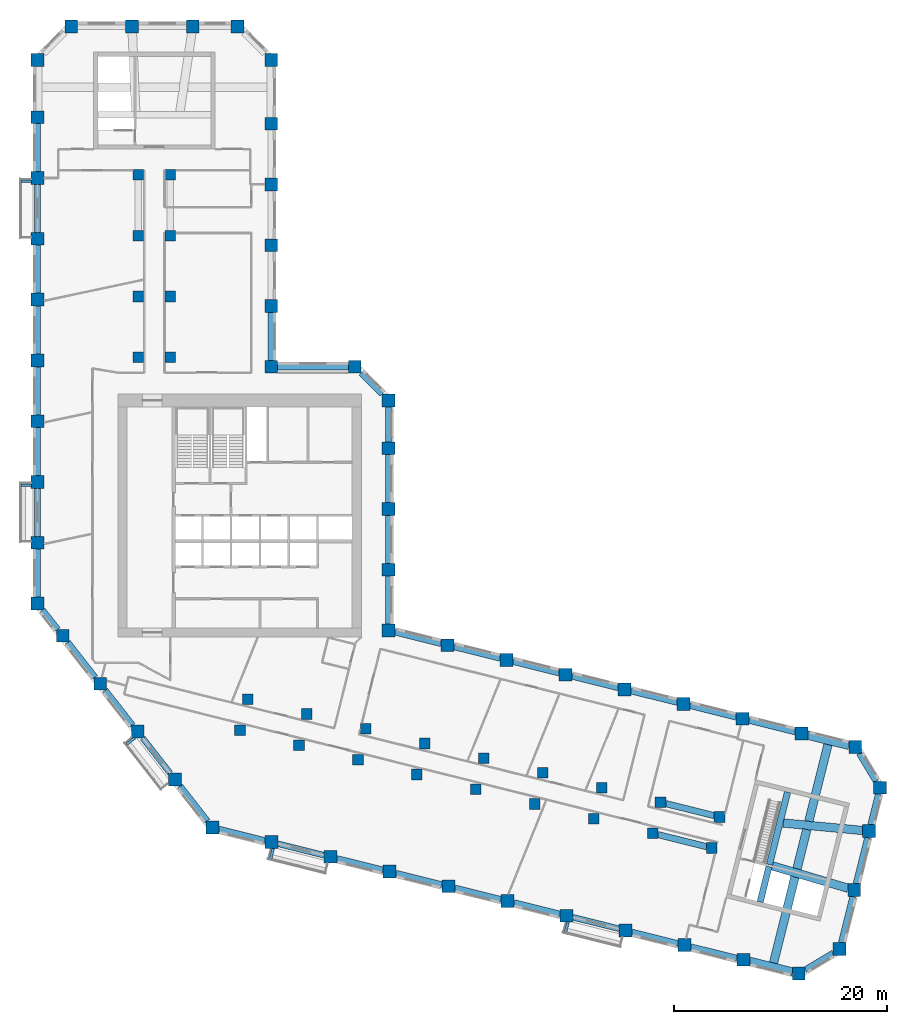
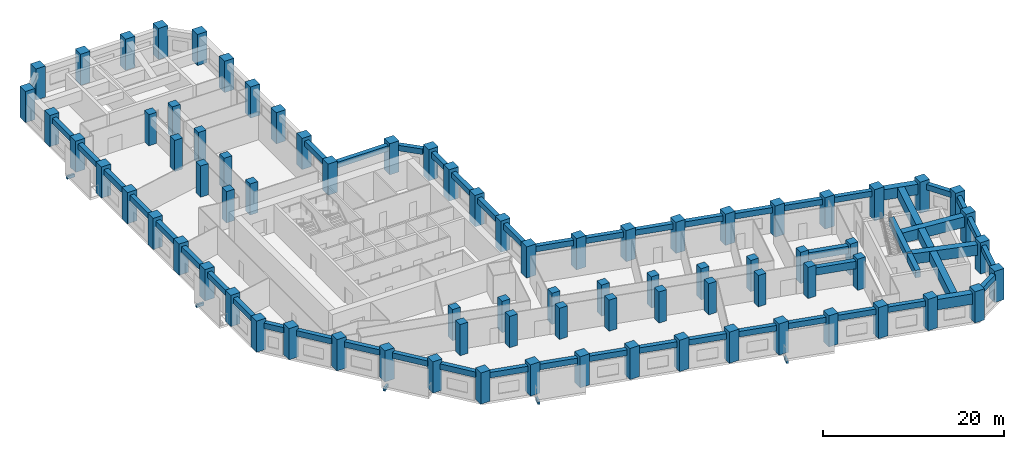
# One storey, part 1 of 10: 79 columns, 57 beams.
"""IFC4 building model written with IfcOpenShell, lengths in metres."""

import ifcopenshell
import ifcopenshell.guid

model = None  # the IFC model being written
_history = None  # IfcOwnerHistory: only IFC2X3 demands one
_inside = {}  # id of a spatial element -> (the spatial element, [elements in it])
_under = {}  # id of a project, library or spatial element -> (it, [spatial elements below it])
_declared = {}  # id of a project -> (the project, [libraries it declares])
_typed = {}  # id of a type object -> (the type object, [elements of that type])
_made_of = {}  # id of a material, layer set ... -> (it, [elements and type objects made of it])


def new_model(schema):
    """Start an empty IFC model of exactly this schema.

    Asked for "IFC4X3", IfcOpenShell would pick the latest addendum, in which some entities
    have other attributes; the version numbers below select the first issue.
    IFC2X3 requires an IfcOwnerHistory on every rooted entity: one is made here for all.
    """
    global model, _history
    if schema == "IFC4X3":
        model = ifcopenshell.file(schema_version=(4, 3, 0, 0))
    else:
        model = ifcopenshell.file(schema=schema)
    _inside.clear()
    _under.clear()
    _declared.clear()
    _typed.clear()
    _made_of.clear()
    _history = None
    if model.schema == "IFC2X3":
        org = make("IfcOrganization", Name="unknown")
        user = make(
            "IfcPersonAndOrganization",
            ThePerson=make("IfcPerson", FamilyName="unknown"),
            TheOrganization=org,
        )
        app = make(
            "IfcApplication",
            ApplicationDeveloper=org,
            Version="unknown",
            ApplicationFullName="unknown",
            ApplicationIdentifier="unknown",
        )
        _history = make(
            "IfcOwnerHistory",
            OwningUser=user,
            OwningApplication=app,
            ChangeAction="ADDED",
            CreationDate=0,
        )
    return model


def make(cls, **values):
    """One entity of the class cls with the attributes given. An attribute that is None is left unset."""
    return model.create_entity(
        cls, **{name: value for name, value in values.items() if value is not None}
    )


def rooted(cls, **values):
    """An entity with a GlobalId (a new one), such as an element, a storey or a relation."""
    return make(cls, GlobalId=ifcopenshell.guid.new(), OwnerHistory=_history, **values)


def si_unit(unit_type, name, prefix=None):
    """IfcSIUnit, for example si_unit("LENGTHUNIT", "METRE", prefix="MILLI")."""
    return make("IfcSIUnit", UnitType=unit_type, Prefix=prefix, Name=name)


def assignment(units):
    """IfcUnitAssignment: the units of a project."""
    return None if units is None else make("IfcUnitAssignment", Units=units)


def point(xyz):
    """IfcCartesianPoint."""
    return None if xyz is None else make("IfcCartesianPoint", Coordinates=xyz)


def direction(xyz):
    """IfcDirection."""
    return None if xyz is None else make("IfcDirection", DirectionRatios=xyz)


def frame(location, z_axis=None, x_axis=None):
    """IfcAxis2Placement3D, a coordinate frame: its origin and axes. An axis left out is left unset."""
    return make(
        "IfcAxis2Placement3D",
        Location=point(location),
        Axis=direction(z_axis),
        RefDirection=direction(x_axis),
    )


def frame_2d(location, x_axis=None):
    """IfcAxis2Placement2D, a coordinate frame in the plane: its origin and x axis."""
    return make(
        "IfcAxis2Placement2D", Location=point(location), RefDirection=direction(x_axis)
    )


def origin():
    """The frame at (0, 0, 0) with its axes left unset."""
    return frame((0.0, 0.0, 0.0))


def origin_2d():
    """The frame at (0, 0) in the plane with its x axis left unset."""
    return frame_2d((0.0, 0.0))


def place(relative_to, where):
    """IfcLocalPlacement: puts the frame where relative to a parent placement (None: the world)."""
    return make(
        "IfcLocalPlacement", PlacementRelTo=relative_to, RelativePlacement=where
    )


def context(
    kind, dimensions, precision=None, world=None, true_north=None, identifier=None
):
    """IfcGeometricRepresentationContext, for example the 3D "Model" context."""
    return make(
        "IfcGeometricRepresentationContext",
        ContextIdentifier=identifier,
        ContextType=kind,
        CoordinateSpaceDimension=dimensions,
        Precision=precision,
        WorldCoordinateSystem=world,
        TrueNorth=true_north,
    )


def subcontext(parent, identifier, kind, view, scale=None):
    """IfcGeometricRepresentationSubContext, for example "Body" below "Model"."""
    return make(
        "IfcGeometricRepresentationSubContext",
        ContextIdentifier=identifier,
        ContextType=kind,
        ParentContext=parent,
        TargetScale=scale,
        TargetView=view,
    )


def project(units=None, contexts=None):
    """IfcProject with its units and contexts."""
    return rooted(
        "IfcProject",
        Name="project",
        RepresentationContexts=contexts,
        UnitsInContext=assignment(units),
    )


def spatial(cls, under=None, at=None, **own):
    """A site, building, storey or space (cls), placed at a placement, below another one or the project."""
    s = rooted(cls, ObjectPlacement=at, **own)
    if under is not None:
        _under.setdefault(under.id(), (under, []))[1].append(s)
    return s


def profile(cls, at=None, kind="AREA", **sizes):
    """A parametric profile (cls). Its sizes go by their IFC names, for example OverallWidth=200.0."""
    return make(cls, ProfileType=kind, Position=at, **sizes)


def rectangle(**sizes):
    """IfcRectangleProfileDef."""
    return profile("IfcRectangleProfileDef", **sizes)


def extrude(swept, where, along, depth):
    """IfcExtrudedAreaSolid: the profile swept, set in the frame where, extruded along a direction by depth."""
    return make(
        "IfcExtrudedAreaSolid",
        SweptArea=swept,
        Position=where,
        ExtrudedDirection=direction(along),
        Depth=depth,
    )


def shape(context_of_items, identifier, shape_type, items):
    """IfcShapeRepresentation: the items that make up one representation, for example the "Body"."""
    return make(
        "IfcShapeRepresentation",
        ContextOfItems=context_of_items,
        RepresentationIdentifier=identifier,
        RepresentationType=shape_type,
        Items=items,
    )


def material(Name=None, Category=None):
    """IfcMaterial."""
    return make("IfcMaterial", Name=Name, Category=Category)


def material_profile(
    of_material, cross_section, Name=None, Category=None, Priority=None
):
    """IfcMaterialProfile: a cross section and its material."""
    return make(
        "IfcMaterialProfile",
        Name=Name,
        Material=of_material,
        Profile=cross_section,
        Priority=Priority,
        Category=Category,
    )


def profile_set(profiles, Name=None, composite=None):
    """IfcMaterialProfileSet."""
    return make(
        "IfcMaterialProfileSet",
        Name=Name,
        MaterialProfiles=profiles,
        CompositeProfile=composite,
    )


def made_of(thing, what):
    """Note that an element or type object is made of a material, layer set ...; save() writes the relation."""
    if what is not None:
        _made_of.setdefault(what.id(), (what, []))[1].append(thing)
    return thing


def type_object(cls, material=None, **own):
    """A type object (cls), such as IfcWallType, which elements share."""
    return made_of(rooted(cls, **own), material)


def element(
    cls,
    number,
    at=None,
    inside=None,
    cuts=None,
    type_object=None,
    material=None,
    context=None,
    identifier="Body",
    shape_type=None,
    held_by="IfcProductDefinitionShape",
    body=None,
    shapes=None,
    **own,
):
    """One element of the class cls, such as IfcWall. Its Tag is "e" and its number.

    at: its placement. inside: the storey or other place that contains it. cuts: it is an
    opening in that element (IfcRelVoidsElement). A single representation is given by context,
    identifier, shape_type and body (its items); several are given by shapes. held_by: the class
    of the entity that holds the representations. save() writes the other relations.
    """
    e = rooted(cls, Tag="e%d" % number, ObjectPlacement=at, **own)
    if body is not None:
        shapes = [shape(context, identifier, shape_type, body)]
    if shapes is not None:
        e.Representation = make(held_by, Representations=shapes)
    if inside is not None:
        _inside.setdefault(inside.id(), (inside, []))[1].append(e)
    if cuts is not None:
        rooted(
            "IfcRelVoidsElement", RelatingBuildingElement=cuts, RelatedOpeningElement=e
        )
    if type_object is not None:
        _typed.setdefault(type_object.id(), (type_object, []))[1].append(e)
    return made_of(e, material)


def aggregate(whole, parts):
    """IfcRelAggregates: a whole, such as a stair, and the parts it consists of."""
    return rooted("IfcRelAggregates", RelatingObject=whole, RelatedObjects=parts)


def save(model, path):
    """Write the relations noted so far, then the file.

    IfcRelAggregates (storeys below a building ...), IfcRelContainedInSpatialStructure (elements
    in a storey), IfcRelDefinesByType, IfcRelAssociatesMaterial and IfcRelDeclares: one each for
    every whole, place, type object, material and project.
    """
    for whole, parts in _under.values():
        aggregate(whole, parts)
    for where, things in _inside.values():
        rooted(
            "IfcRelContainedInSpatialStructure",
            RelatedElements=things,
            RelatingStructure=where,
        )
    for kind, things in _typed.values():
        rooted("IfcRelDefinesByType", RelatedObjects=things, RelatingType=kind)
    for what, things in _made_of.values():
        rooted("IfcRelAssociatesMaterial", RelatedObjects=things, RelatingMaterial=what)
    for by, libraries in _declared.values():
        rooted("IfcRelDeclares", RelatingContext=by, RelatedDefinitions=libraries)
    model.write(path)


model = new_model("IFC4")

# Units and contexts
model_context = context("Model", 3, precision=1e-05, world=origin(), true_north=direction((0.0, 1.0)))
body_context = subcontext(model_context, "Body", "Model", "MODEL_VIEW")
ifc_project = project(units=[si_unit("LENGTHUNIT", "METRE"), si_unit("AREAUNIT", "SQUARE_METRE"), si_unit("VOLUMEUNIT", "CUBIC_METRE"), si_unit("PLANEANGLEUNIT", "RADIAN"), si_unit("MASSUNIT", "GRAM", prefix="KILO")], contexts=[model_context])

# Site, building, storey
site_placement = place(None, origin())
site = spatial("IfcSite", under=ifc_project, at=site_placement, CompositionType="ELEMENT")
building_placement = place(site_placement, origin())
building = spatial("IfcBuilding", under=site, at=building_placement, Name="Meshkara Civic Tower", CompositionType="ELEMENT")
storey_placement = place(building_placement, frame((0.0, 0.0, 216.0)))
storey = spatial("IfcBuildingStorey", under=building, at=storey_placement, Name="L49", CompositionType="ELEMENT", Elevation=216.0)

# Columns
ifc_material_1 = material(Name="Concrete C70", Category="concrete")
ifc_material_profile_1 = material_profile(ifc_material_1, rectangle(XDim=1.0, YDim=1.0, at=origin_2d()))
ifc_profile_set_1 = profile_set([ifc_material_profile_1], Name="Concrete C70")
column_type_1 = type_object("IfcColumnType", Name="Interior column RC 1000x1000 C70", PredefinedType="COLUMN", material=ifc_profile_set_1)
for number, where, z_axis, x_axis, name in (
    (1, (9.89990234375, 40.35009765625, 0.0), (0.0, 0.0, 1.0), (1.0, 0.0, 0.0), "Column SA1-04 L49"),
    (2, (9.89990234375, 46.050048828125, 0.0), (0.0, 0.0, 1.0), (1.0, 0.0, 0.0), "Column SA1-05 L49"),
    (3, (9.89990234375, 51.75, 0.0), (0.0, 0.0, 1.0), (1.0, 0.0, 0.0), "Column SA1-06 L49"),
    (4, (9.89990234375, 57.449951171875, 0.0), (0.0, 0.0, 1.0), (1.0, 0.0, 0.0), "Column SA1-07 L49"),
    (5, (12.89990234375, 40.35009765625, 0.0), (0.0, 0.0, 1.0), (1.0, 0.0, 0.0), "Column SA2-04 L49"),
    (6, (12.89990234375, 46.050048828125, 0.0), (0.0, 0.0, 1.0), (1.0, 0.0, 0.0), "Column SA2-05 L49"),
    (7, (12.89990234375, 51.75, 0.0), (0.0, 0.0, 1.0), (1.0, 0.0, 0.0), "Column SA2-06 L49"),
    (8, (12.89990234375, 57.449951171875, 0.0), (0.0, 0.0, 1.0), (1.0, 0.0, 0.0), "Column SA2-07 L49"),
    (9, (19.424072265625, 5.360107421875, 0.0), (0.0, 0.0, 1.0), (1.0, 0.0, 0.0), "Column SB1-00 L49"),
    (10, (24.9541015625, 3.98095703125, 0.0), (0.0, 0.0, 1.0), (1.0, 0.0, 0.0), "Column SB1-01 L49"),
    (11, (30.485107421875, 2.60205078125, 0.0), (0.0, 0.0, 1.0), (1.0, 0.0, 0.0), "Column SB1-02 L49"),
    (12, (36.01611328125, 1.222900390625, 0.0), (0.0, 0.0, 1.0), (1.0, 0.0, 0.0), "Column SB1-03 L49"),
    (13, (41.5458984375, -0.156005859375, 0.0), (0.0, 0.0, 1.0), (1.0, 0.0, 0.0), "Column SB1-04 L49"),
    (14, (47.076904296875, -1.534912109375, 0.0), (0.0, 0.0, 1.0), (1.0, 0.0, 0.0), "Column SB1-05 L49"),
    (15, (52.60791015625, -2.9140625, 0.0), (0.0, 0.0, 1.0), (1.0, 0.0, 0.0), "Column SB1-06 L49"),
    (16, (58.138916015625, -4.2919921875, 0.0), (0.0, 0.0, 1.0), (1.0, 0.0, 0.0), "Column SB1-07 L49"),
    (17, (63.6689453125, -5.6708984375, 0.0), (0.0, 0.0, 1.0), (1.0, 0.0, 0.0), "Column SB1-08 L49"),
    (18, (20.14892578125, 8.27099609375, 0.0), (0.0, 0.0, 1.0), (1.0, 0.0, 0.0), "Column SB2-00 L49"),
    (19, (25.679931640625, 6.89208984375, 0.0), (0.0, 0.0, 1.0), (1.0, 0.0, 0.0), "Column SB2-01 L49"),
    (20, (31.2109375, 5.512939453125, 0.0), (0.0, 0.0, 1.0), (1.0, 0.0, 0.0), "Column SB2-02 L49"),
    (21, (36.741943359375, 4.134033203125, 0.0), (0.0, 0.0, 1.0), (1.0, 0.0, 0.0), "Column SB2-03 L49"),
    (22, (42.27197265625, 2.7548828125, 0.0), (0.0, 0.0, 1.0), (1.0, 0.0, 0.0), "Column SB2-04 L49"),
    (23, (47.802978515625, 1.3759765625, 0.0), (0.0, 0.0, 1.0), (1.0, 0.0, 0.0), "Column SB2-05 L49"),
    (24, (53.333984375, -0.0029296875, 0.0), (0.0, 0.0, 1.0), (1.0, 0.0, 0.0), "Column SB2-06 L49"),
    (25, (58.864013671875, -1.382080078125, 0.0), (0.0, 0.0, 1.0), (1.0, 0.0, 0.0), "Column SB2-07 L49"),
    (26, (64.39501953125, -2.760986328125, 0.0), (0.0, 0.0, 1.0), (1.0, 0.0, 0.0), "Column SB2-08 L49"),
):
    element("IfcColumn", number, at=place(storey_placement, frame(where, z_axis=z_axis, x_axis=x_axis)), inside=storey, type_object=column_type_1, Name=name, PredefinedType="COLUMN", context=body_context, shape_type="SweptSolid", body=[
        extrude(rectangle(XDim=1.0, YDim=1.0, at=origin_2d()), origin(), (0.0, 0.0, 1.0), 4.199951171875),
    ])
ifc_material_2 = material(Name="Concrete C70", Category="concrete")
ifc_material_profile_2 = material_profile(ifc_material_2, rectangle(XDim=1.199951171875, YDim=1.199951171875, at=origin_2d()))
ifc_profile_set_2 = profile_set([ifc_material_profile_2], Name="Concrete C70")
column_type_2 = type_object("IfcColumnType", Name="Perimeter column RC 1200x1200 C70", PredefinedType="COLUMN", material=ifc_profile_set_2)
for number, where, z_axis, x_axis, name in (
    (27, (33.35009765625, 14.718994140625, 0.0), (0.0, 0.0, 1.0), (1.0, 0.0, 0.0), "Column HE00 L49"),
    (28, (33.35009765625, 20.4189453125, 0.0), (0.0, 0.0, 1.0), (1.0, 0.0, 0.0), "Column HE01 L49"),
    (29, (33.35009765625, 26.118896484375, 0.0), (0.0, 0.0, 1.0), (1.0, 0.0, 0.0), "Column HE02 L49"),
    (30, (33.35009765625, 31.819091796875, 0.0), (0.0, 0.0, 1.0), (1.0, 0.0, 0.0), "Column HE03 L49"),
    (31, (33.35009765625, 36.2939453125, 0.0), (0.0, 0.0, 1.0), (1.0, 0.0, 0.0), "Column HEE L49"),
    (32, (30.194091796875, 39.449951171875, 0.0), (0.0, 0.0, 1.0), (1.0, 0.0, 0.0), "Column HCeE L49"),
    (33, (22.35009765625, 39.449951171875, 0.0), (0.0, 0.0, 1.0), (1.0, 0.0, 0.0), "Column HN00 L49"),
    (34, (22.35009765625, 45.14990234375, 0.0), (0.0, 0.0, 1.0), (1.0, 0.0, 0.0), "Column AE01 L49"),
    (35, (22.35009765625, 50.85009765625, 0.0), (0.0, 0.0, 1.0), (1.0, 0.0, 0.0), "Column AE02 L49"),
    (36, (22.35009765625, 56.550048828125, 0.0), (0.0, 0.0, 1.0), (1.0, 0.0, 0.0), "Column AE03 L49"),
    (37, (22.35009765625, 62.25, 0.0), (0.0, 0.0, 1.0), (1.0, 0.0, 0.0), "Column AE04 L49"),
    (38, (22.35009765625, 68.214111328125, 0.0), (0.0, 0.0, 1.0), (1.0, 0.0, 0.0), "Column AEEP2 L49"),
    (39, (19.194091796875, 71.3701171875, 0.0), (0.0, 0.0, 1.0), (1.0, 0.0, 0.0), "Column ATiEP2 L49"),
    (40, (3.60595703125, 71.3701171875, 0.0), (0.0, 0.0, 1.0), (1.0, 0.0, 0.0), "Column AT00-P2 L49"),
    (41, (9.305908203125, 71.3701171875, 0.0), (0.0, 0.0, 1.0), (1.0, 0.0, 0.0), "Column AT01-P2 L49"),
    (42, (15.006103515625, 71.3701171875, 0.0), (0.0, 0.0, 1.0), (1.0, 0.0, 0.0), "Column AT02-P2 L49"),
    (43, (0.449951171875, 68.214111328125, 0.0), (0.0, 0.0, 1.0), (1.0, 0.0, 0.0), "Column ATo00-P2 L49"),
    (44, (0.449951171875, 17.2548828125, 0.0), (0.0, 0.0, 1.0), (1.0, 0.0, 0.0), "Column AW00 L49"),
    (45, (0.449951171875, 22.955078125, 0.0), (0.0, 0.0, 1.0), (1.0, 0.0, 0.0), "Column AW01 L49"),
    (46, (0.449951171875, 28.655029296875, 0.0), (0.0, 0.0, 1.0), (1.0, 0.0, 0.0), "Column AW02 L49"),
    (47, (0.449951171875, 34.35498046875, 0.0), (0.0, 0.0, 1.0), (1.0, 0.0, 0.0), "Column AW03 L49"),
    (48, (0.449951171875, 40.054931640625, 0.0), (0.0, 0.0, 1.0), (1.0, 0.0, 0.0), "Column AW04 L49"),
    (49, (0.449951171875, 45.7548828125, 0.0), (0.0, 0.0, 1.0), (1.0, 0.0, 0.0), "Column AW05 L49"),
    (50, (0.449951171875, 51.455078125, 0.0), (0.0, 0.0, 1.0), (1.0, 0.0, 0.0), "Column AW06 L49"),
    (51, (0.449951171875, 57.155029296875, 0.0), (0.0, 0.0, 1.0), (1.0, 0.0, 0.0), "Column AW07 L49"),
    (52, (0.449951171875, 62.85498046875, 0.0), (0.0, 0.0, 1.0), (1.0, 0.0, 0.0), "Column AW08 L49"),
    (53, (16.85107421875, -3.738037109375, 0.0), (0.0, 0.0, 1.0), (1.0, 0.0, 0.0), "Column BOW00 L49"),
    (54, (13.342041015625, 0.75390625, 0.0), (0.0, 0.0, 1.0), (1.0, 0.0, 0.0), "Column BOW01 L49"),
    (55, (9.8330078125, 5.2451171875, 0.0), (0.0, 0.0, 1.0), (1.0, 0.0, 0.0), "Column BOW02 L49"),
    (56, (6.322998046875, 9.737060546875, 0.0), (0.0, 0.0, 1.0), (1.0, 0.0, 0.0), "Column BOW03 L49"),
    (57, (2.81396484375, 14.22900390625, 0.0), (0.0, 0.0, 1.0), (1.0, 0.0, 0.0), "Column BOW04 L49"),
    (58, (22.382080078125, -5.116943359375, 0.0), (0.0, 0.0, 1.0), (1.0, 0.0, 0.0), "Column BS01 L49"),
    (59, (27.912109375, -6.49609375, 0.0), (0.0, 0.0, 1.0), (1.0, 0.0, 0.0), "Column BS02 L49"),
    (60, (33.443115234375, -7.875, 0.0), (0.0, 0.0, 1.0), (1.0, 0.0, 0.0), "Column BS03 L49"),
    (61, (38.97412109375, -9.2529296875, 0.0), (0.0, 0.0, 1.0), (1.0, 0.0, 0.0), "Column BS04-P1 L49"),
    (62, (44.5048828125, -10.632080078125, 0.0), (0.0, 0.0, 1.0), (1.0, 0.0, 0.0), "Column BS05 L49"),
    (63, (50.034912109375, -12.010986328125, 0.0), (0.0, 0.0, 1.0), (1.0, 0.0, 0.0), "Column BS06 L49"),
    (64, (55.56591796875, -13.389892578125, 0.0), (0.0, 0.0, 1.0), (1.0, 0.0, 0.0), "Column BS07 L49"),
    (65, (61.096923828125, -14.76904296875, 0.0), (0.0, 0.0, 1.0), (1.0, 0.0, 0.0), "Column BS08 L49"),
    (66, (66.626953125, -16.14794921875, 0.0), (0.0, 0.0, 1.0), (1.0, 0.0, 0.0), "Column BS09 L49"),
    (67, (71.826904296875, -17.444091796875, 0.0), (0.0, 0.0, 1.0), (1.0, 0.0, 0.0), "Column BSEP2 L49"),
    (68, (75.653076171875, -15.14501953125, 0.0), (0.0, 0.0, 1.0), (1.0, 0.0, 0.0), "Column BToEP2 L49"),
    (69, (77.031982421875, -9.614013671875, 0.0), (0.0, 0.0, 1.0), (1.0, 0.0, 0.0), "Column BT01-P2 L49"),
    (70, (78.410888671875, -4.083984375, 0.0), (0.0, 0.0, 1.0), (1.0, 0.0, 0.0), "Column BT02-P2 L49"),
    (71, (79.424072265625, -0.02099609375, 0.0), (0.0, 0.0, 1.0), (1.0, 0.0, 0.0), "Column BTEP2 L49"),
    (72, (77.125, 3.803955078125, 0.0), (0.0, 0.0, 1.0), (1.0, 0.0, 0.0), "Column BTi00-P2 L49"),
    (73, (38.881103515625, 13.340087890625, 0.0), (0.0, 0.0, 1.0), (1.0, 0.0, 0.0), "Column BN01 L49"),
    (74, (44.410888671875, 11.9609375, 0.0), (0.0, 0.0, 1.0), (1.0, 0.0, 0.0), "Column BN02 L49"),
    (75, (49.94189453125, 10.58203125, 0.0), (0.0, 0.0, 1.0), (1.0, 0.0, 0.0), "Column BN03 L49"),
    (76, (55.472900390625, 9.202880859375, 0.0), (0.0, 0.0, 1.0), (1.0, 0.0, 0.0), "Column BN04 L49"),
    (77, (61.0029296875, 7.823974609375, 0.0), (0.0, 0.0, 1.0), (1.0, 0.0, 0.0), "Column BN05 L49"),
    (78, (66.533935546875, 6.445068359375, 0.0), (0.0, 0.0, 1.0), (1.0, 0.0, 0.0), "Column BN06 L49"),
    (79, (72.06494140625, 5.06591796875, 0.0), (0.0, 0.0, 1.0), (1.0, 0.0, 0.0), "Column BN07 L49"),
):
    element("IfcColumn", number, at=place(storey_placement, frame(where, z_axis=z_axis, x_axis=x_axis)), inside=storey, type_object=column_type_2, Name=name, PredefinedType="COLUMN", context=body_context, shape_type="SweptSolid", body=[
        extrude(rectangle(XDim=1.199951171875, YDim=1.199951171875, at=origin_2d()), origin(), (0.0, 0.0, 1.0), 4.199951171875),
    ])

# Beams
ifc_material_3 = material(Name="Concrete C50", Category="concrete")
ifc_material_profile_3 = material_profile(ifc_material_3, rectangle(XDim=0.25, YDim=0.39990234375, at=origin_2d()))
ifc_profile_set_3 = profile_set([ifc_material_profile_3], Name="Concrete C50")
beam_type_1 = type_object("IfcBeamType", Name="Balcony bracket beam RC 250x400 C50", PredefinedType="BEAM", material=ifc_profile_set_3)
for number, where, z_axis, x_axis, name in (
    (80, (-0.14501953125, 56.85498046875, -0.5), (-1.0, 0.0, 0.0), (0.0, -1.0, 0.0), "Balcony bracket beam"),
    (81, (-0.14501953125, 28.35498046875, -0.5), (-1.0, 0.0, 0.0), (0.0, -1.0, 0.0), "Balcony bracket beam"),
):
    element("IfcBeam", number, at=place(storey_placement, frame(where, z_axis=z_axis, x_axis=x_axis)), inside=storey, type_object=beam_type_1, Name=name, PredefinedType="BEAM", context=body_context, shape_type="SweptSolid", body=[
        extrude(rectangle(XDim=0.25, YDim=0.39990234375, at=origin_2d()), origin(), (0.0, 0.0, 1.0), 0.955078125),
    ])
beam_1_placement = place(storey_placement, frame((9.555908203125, 4.64794921875, -0.5), z_axis=(-0.787905405849, -0.615796290533, 0.0), x_axis=(0.615796290533, -0.787905405849, 0.0)))
element("IfcBeam", 82, at=beam_1_placement, inside=storey, type_object=beam_type_1, Name="Balcony bracket beam", PredefinedType="BEAM", context=body_context, shape_type="SweptSolid", body=[
    extrude(rectangle(XDim=0.25, YDim=0.39990234375, at=origin_2d()), origin(), (0.0, 0.0, 1.0), 0.964599609375),
])
beam_2_placement = place(storey_placement, frame((22.54296875, -5.7119140625, -0.5), z_axis=(-0.242137982033, -0.970241824318, 0.0), x_axis=(0.970241824318, -0.242137982033, 0.0)))
element("IfcBeam", 83, at=beam_2_placement, inside=storey, type_object=beam_type_1, Name="Balcony bracket beam", PredefinedType="BEAM", context=body_context, shape_type="SweptSolid", body=[
    extrude(rectangle(XDim=0.25, YDim=0.39990234375, at=origin_2d()), origin(), (0.0, 0.0, 1.0), 1.01123046875),
])
beam_3_placement = place(storey_placement, frame((50.196044921875, -12.60595703125, -0.5), z_axis=(-0.24219504991, -0.970227580416, 0.0), x_axis=(0.970227580416, -0.24219504991, 0.0)))
element("IfcBeam", 84, at=beam_3_placement, inside=storey, type_object=beam_type_1, Name="Balcony bracket beam", PredefinedType="BEAM", context=body_context, shape_type="SweptSolid", body=[
    extrude(rectangle(XDim=0.25, YDim=0.39990234375, at=origin_2d()), origin(), (0.0, 0.0, 1.0), 1.011962890625),
])
ifc_material_4 = material(Name="Concrete C70", Category="concrete")
ifc_material_profile_4 = material_profile(ifc_material_4, rectangle(XDim=0.60009765625, YDim=1.0, at=origin_2d()))
ifc_profile_set_4 = profile_set([ifc_material_profile_4], Name="Concrete C70")
beam_type_2 = type_object("IfcBeamType", Name="Core transfer beam RC 600x1000 C70", PredefinedType="BEAM", material=ifc_profile_set_4)
beam_4_placement = place(storey_placement, frame((58.6240234375, -4.4130859375, 3.25), z_axis=(0.970295097505, -0.241924417447, 0.0), x_axis=(0.241924417447, 0.970295097505, 0.0)))
element("IfcBeam", 85, at=beam_4_placement, inside=storey, type_object=beam_type_2, Name="Transfer beam B L50 core-side wall", PredefinedType="BEAM", context=body_context, shape_type="SweptSolid", body=[
    extrude(rectangle(XDim=0.60009765625, YDim=1.0, at=origin_2d()), origin(), (0.0, 0.0, 1.0), 4.69970703125),
])
beam_5_placement = place(storey_placement, frame((59.34912109375, -1.5029296875, 3.25), z_axis=(0.970304216682, -0.241887839895, 0.0), x_axis=(0.241887839895, 0.970304216682, 0.0)))
element("IfcBeam", 86, at=beam_5_placement, inside=storey, type_object=beam_type_2, Name="Transfer beam B L50 core-side wall", PredefinedType="BEAM", context=body_context, shape_type="SweptSolid", body=[
    extrude(rectangle(XDim=0.60009765625, YDim=1.0, at=origin_2d()), origin(), (0.0, 0.0, 1.0), 4.700439453125),
])
beam_6_placement = place(storey_placement, frame((68.202880859375, -10.718017578125, 3.25), z_axis=(0.24177523778, 0.970332280405, 0.0), x_axis=(-0.970332280405, 0.24177523778, 0.0)))
element("IfcBeam", 87, at=beam_6_placement, inside=storey, type_object=beam_type_2, Name="Transfer beam B L50 tip-side wall", PredefinedType="BEAM", context=body_context, shape_type="SweptSolid", body=[
    extrude(rectangle(XDim=0.60009765625, YDim=1.0, at=origin_2d()), origin(), (0.0, 0.0, 1.0), 3.39990234375),
])
beam_7_placement = place(storey_placement, frame((69.073974609375, -7.22509765625, 3.25), z_axis=(0.241879042136, 0.970306409839, 0.0), x_axis=(-0.970306409839, 0.241879042136, 0.0)))
element("IfcBeam", 88, at=beam_7_placement, inside=storey, type_object=beam_type_2, Name="Transfer beam B L50 tip-side wall", PredefinedType="BEAM", context=body_context, shape_type="SweptSolid", body=[
    extrude(rectangle(XDim=0.60009765625, YDim=1.0, at=origin_2d()), origin(), (0.0, 0.0, 1.0), 6.999755859375),
])
ifc_material_5 = material(Name="Concrete C60", Category="concrete")
ifc_material_profile_5 = material_profile(ifc_material_5, rectangle(XDim=0.550048828125, YDim=0.75, at=origin_2d()))
ifc_profile_set_5 = profile_set([ifc_material_profile_5], Name="Concrete C60")
beam_type_3 = type_object("IfcBeamType", Name="Spandrel beam RC 550x750 C60", PredefinedType="BEAM", material=ifc_profile_set_5)
for number, where, z_axis, x_axis, name in (
    (89, (71.469970703125, 5.21435546875, 3.375), (-0.970296390995, 0.241919229543, 0.0), (-0.241919229543, -0.970296390995, 0.0), "Spandrel beam BN06-BN07"),
    (90, (65.93896484375, 6.593505859375, 3.375), (-0.970309199754, 0.241867850018, 0.0), (-0.241867850018, -0.970309199754, 0.0), "Spandrel beam BN05-BN06"),
):
    element("IfcBeam", number, at=place(storey_placement, frame(where, z_axis=z_axis, x_axis=x_axis)), inside=storey, type_object=beam_type_3, Name=name, PredefinedType="BEAM", context=body_context, shape_type="SweptSolid", body=[
        extrude(rectangle(XDim=0.550048828125, YDim=0.75, at=origin_2d()), origin(), (0.0, 0.0, 1.0), 4.4736328125),
    ])
beam_8_placement = place(storey_placement, frame((60.407958984375, 7.972412109375, 3.375), z_axis=(-0.970283611566, 0.241970479865, 0.0), x_axis=(-0.241970479865, -0.970283611566, 0.0)))
element("IfcBeam", 91, at=beam_8_placement, inside=storey, type_object=beam_type_3, Name="Spandrel beam BN04-BN05", PredefinedType="BEAM", context=body_context, shape_type="SweptSolid", body=[
    extrude(rectangle(XDim=0.550048828125, YDim=0.75, at=origin_2d()), origin(), (0.0, 0.0, 1.0), 4.47265625),
])
for number, where, z_axis, x_axis, name in (
    (92, (54.8779296875, 9.351318359375, 3.375), (-0.970296390995, 0.241919229543, 0.0), (-0.241919229543, -0.970296390995, 0.0), "Spandrel beam BN03-BN04"),
    (93, (49.346923828125, 10.73046875, 3.375), (-0.970309199754, 0.241867850018, 0.0), (-0.241867850018, -0.970309199754, 0.0), "Spandrel beam BN02-BN03"),
):
    element("IfcBeam", number, at=place(storey_placement, frame(where, z_axis=z_axis, x_axis=x_axis)), inside=storey, type_object=beam_type_3, Name=name, PredefinedType="BEAM", context=body_context, shape_type="SweptSolid", body=[
        extrude(rectangle(XDim=0.550048828125, YDim=0.75, at=origin_2d()), origin(), (0.0, 0.0, 1.0), 4.4736328125),
    ])
beam_9_placement = place(storey_placement, frame((43.81591796875, 12.109375, 3.375), z_axis=(-0.970283611566, 0.241970479865, 0.0), x_axis=(-0.241970479865, -0.970283611566, 0.0)))
element("IfcBeam", 94, at=beam_9_placement, inside=storey, type_object=beam_type_3, Name="Spandrel beam BN01-BN02", PredefinedType="BEAM", context=body_context, shape_type="SweptSolid", body=[
    extrude(rectangle(XDim=0.550048828125, YDim=0.75, at=origin_2d()), origin(), (0.0, 0.0, 1.0), 4.47265625),
])
beam_10_placement = place(storey_placement, frame((38.285888671875, 13.48828125, 3.375), z_axis=(-0.970296390995, 0.241919229543, 0.0), x_axis=(-0.241919229543, -0.970296390995, 0.0)))
element("IfcBeam", 95, at=beam_10_placement, inside=storey, type_object=beam_type_3, Name="Spandrel beam BN01-HE00", PredefinedType="BEAM", context=body_context, shape_type="SweptSolid", body=[
    extrude(rectangle(XDim=0.550048828125, YDim=0.75, at=origin_2d()), origin(), (0.0, 0.0, 1.0), 4.4736328125),
])
for number, where, z_axis, x_axis, name in (
    (96, (33.35009765625, 15.31396484375, 3.375), (0.0, 1.0, 0.0), (-1.0, 0.0, 0.0), "Spandrel beam HE00-HE01"),
    (97, (33.35009765625, 21.013916015625, 3.375), (0.0, 1.0, 0.0), (-1.0, 0.0, 0.0), "Spandrel beam HE01-HE02"),
    (98, (33.35009765625, 26.714111328125, 3.375), (0.0, 1.0, 0.0), (-1.0, 0.0, 0.0), "Spandrel beam HE02-HE03"),
):
    element("IfcBeam", number, at=place(storey_placement, frame(where, z_axis=z_axis, x_axis=x_axis)), inside=storey, type_object=beam_type_3, Name=name, PredefinedType="BEAM", context=body_context, shape_type="SweptSolid", body=[
        extrude(rectangle(XDim=0.550048828125, YDim=0.75, at=origin_2d()), origin(), (0.0, 0.0, 1.0), 4.510009765625),
    ])
beam_11_placement = place(storey_placement, frame((33.35009765625, 32.4140625, 3.375), z_axis=(0.0, 1.0, 0.0), x_axis=(-1.0, 0.0, 0.0)))
element("IfcBeam", 99, at=beam_11_placement, inside=storey, type_object=beam_type_3, Name="Spandrel beam HE03-HEE", PredefinedType="BEAM", context=body_context, shape_type="SweptSolid", body=[
    extrude(rectangle(XDim=0.550048828125, YDim=0.75, at=origin_2d()), origin(), (0.0, 0.0, 1.0), 3.284912109375),
])
beam_12_placement = place(storey_placement, frame((32.75341796875, 36.890380859375, 3.375), z_axis=(-0.707062808252, 0.707150751387, 0.0), x_axis=(-0.707150751387, -0.707062808252, 0.0)))
element("IfcBeam", 100, at=beam_12_placement, inside=storey, type_object=beam_type_3, Name="Spandrel beam HCeE-HEE", PredefinedType="BEAM", context=body_context, shape_type="SweptSolid", body=[
    extrude(rectangle(XDim=0.550048828125, YDim=0.75, at=origin_2d()), origin(), (0.0, 0.0, 1.0), 2.776123046875),
])
beam_13_placement = place(storey_placement, frame((29.59912109375, 39.449951171875, 3.375), z_axis=(-1.0, 0.0, 0.0), x_axis=(0.0, -1.0, 0.0)))
element("IfcBeam", 101, at=beam_13_placement, inside=storey, type_object=beam_type_3, Name="Spandrel beam HCeE-HN00", PredefinedType="BEAM", context=body_context, shape_type="SweptSolid", body=[
    extrude(rectangle(XDim=0.550048828125, YDim=0.75, at=origin_2d()), origin(), (0.0, 0.0, 1.0), 6.654052734375),
])
for number, where, z_axis, x_axis, name in (
    (102, (22.35009765625, 40.044921875, 3.375), (0.0, 1.0, 0.0), (-1.0, 0.0, 0.0), "Spandrel beam AE01-HN00"),
    (103, (0.449951171875, 62.260009765625, 3.375), (0.0, -1.0, 0.0), (1.0, 0.0, 0.0), "Spandrel beam AW07-AW08"),
    (104, (0.449951171875, 56.56005859375, 3.375), (0.0, -1.0, 0.0), (1.0, 0.0, 0.0), "Spandrel beam AW06-AW07"),
    (105, (0.449951171875, 50.860107421875, 3.375), (0.0, -1.0, 0.0), (1.0, 0.0, 0.0), "Spandrel beam AW05-AW06"),
    (106, (0.449951171875, 45.159912109375, 3.375), (0.0, -1.0, 0.0), (1.0, 0.0, 0.0), "Spandrel beam AW04-AW05"),
    (107, (0.449951171875, 39.4599609375, 3.375), (0.0, -1.0, 0.0), (1.0, 0.0, 0.0), "Spandrel beam AW03-AW04"),
    (108, (0.449951171875, 33.760009765625, 3.375), (0.0, -1.0, 0.0), (1.0, 0.0, 0.0), "Spandrel beam AW02-AW03"),
    (109, (0.449951171875, 28.06005859375, 3.375), (0.0, -1.0, 0.0), (1.0, 0.0, 0.0), "Spandrel beam AW01-AW02"),
    (110, (0.449951171875, 22.360107421875, 3.375), (0.0, -1.0, 0.0), (1.0, 0.0, 0.0), "Spandrel beam AW00-AW01"),
):
    element("IfcBeam", number, at=place(storey_placement, frame(where, z_axis=z_axis, x_axis=x_axis)), inside=storey, type_object=beam_type_3, Name=name, PredefinedType="BEAM", context=body_context, shape_type="SweptSolid", body=[
        extrude(rectangle(XDim=0.550048828125, YDim=0.75, at=origin_2d()), origin(), (0.0, 0.0, 1.0), 4.510009765625),
    ])
beam_14_placement = place(storey_placement, frame((0.915771484375, 16.658935546875, 3.375), z_axis=(0.615646077935, -0.788022783124, 0.0), x_axis=(0.788022783124, 0.615646077935, 0.0)))
element("IfcBeam", 111, at=beam_14_placement, inside=storey, type_object=beam_type_3, Name="Spandrel beam AW00-BOW04", PredefinedType="BEAM", context=body_context, shape_type="SweptSolid", body=[
    extrude(rectangle(XDim=0.550048828125, YDim=0.75, at=origin_2d()), origin(), (0.0, 0.0, 1.0), 2.326904296875),
])
beam_15_placement = place(storey_placement, frame((3.279541015625, 13.6328125, 3.375), z_axis=(0.615630464754, -0.788034980738, 0.0), x_axis=(0.788034980738, 0.615630464754, 0.0)))
element("IfcBeam", 112, at=beam_15_placement, inside=storey, type_object=beam_type_3, Name="Spandrel beam BOW03-BOW04", PredefinedType="BEAM", context=body_context, shape_type="SweptSolid", body=[
    extrude(rectangle(XDim=0.550048828125, YDim=0.75, at=origin_2d()), origin(), (0.0, 0.0, 1.0), 4.1875),
])
beam_16_placement = place(storey_placement, frame((6.788818359375, 9.140869140625, 3.375), z_axis=(0.61570287025, -0.787978410596, 0.0), x_axis=(0.787978410596, 0.61570287025, 0.0)))
element("IfcBeam", 113, at=beam_16_placement, inside=storey, type_object=beam_type_3, Name="Spandrel beam BOW02-BOW03", PredefinedType="BEAM", context=body_context, shape_type="SweptSolid", body=[
    extrude(rectangle(XDim=0.550048828125, YDim=0.75, at=origin_2d()), origin(), (0.0, 0.0, 1.0), 4.187744140625),
])
beam_17_placement = place(storey_placement, frame((10.298583984375, 4.64892578125, 3.375), z_axis=(0.615707413829, -0.787974860358, 0.0), x_axis=(0.787974860358, 0.615707413829, 0.0)))
element("IfcBeam", 114, at=beam_17_placement, inside=storey, type_object=beam_type_3, Name="Spandrel beam BOW01-BOW02", PredefinedType="BEAM", context=body_context, shape_type="SweptSolid", body=[
    extrude(rectangle(XDim=0.550048828125, YDim=0.75, at=origin_2d()), origin(), (0.0, 0.0, 1.0), 4.1865234375),
])
beam_18_placement = place(storey_placement, frame((13.8076171875, 0.157958984375, 3.375), z_axis=(0.615630464754, -0.788034980738, 0.0), x_axis=(0.788034980738, 0.615630464754, 0.0)))
element("IfcBeam", 115, at=beam_18_placement, inside=storey, type_object=beam_type_3, Name="Spandrel beam BOW00-BOW01", PredefinedType="BEAM", context=body_context, shape_type="SweptSolid", body=[
    extrude(rectangle(XDim=0.550048828125, YDim=0.75, at=origin_2d()), origin(), (0.0, 0.0, 1.0), 4.1875),
])
beam_19_placement = place(storey_placement, frame((17.446044921875, -3.886474609375, 3.375), z_axis=(0.970309199754, -0.241867850018, 0.0), x_axis=(0.241867850018, 0.970309199754, 0.0)))
element("IfcBeam", 116, at=beam_19_placement, inside=storey, type_object=beam_type_3, Name="Spandrel beam BOW00-BS01", PredefinedType="BEAM", context=body_context, shape_type="SweptSolid", body=[
    extrude(rectangle(XDim=0.550048828125, YDim=0.75, at=origin_2d()), origin(), (0.0, 0.0, 1.0), 4.4736328125),
])
beam_20_placement = place(storey_placement, frame((22.97705078125, -5.265380859375, 3.375), z_axis=(0.970283611566, -0.241970479865, 0.0), x_axis=(0.241970479865, 0.970283611566, 0.0)))
element("IfcBeam", 117, at=beam_20_placement, inside=storey, type_object=beam_type_3, Name="Spandrel beam BS01-BS02", PredefinedType="BEAM", context=body_context, shape_type="SweptSolid", body=[
    extrude(rectangle(XDim=0.550048828125, YDim=0.75, at=origin_2d()), origin(), (0.0, 0.0, 1.0), 4.47265625),
])
for number, where, z_axis, x_axis, name in (
    (118, (28.507080078125, -6.644287109375, 3.375), (0.970296390995, -0.241919229543, 0.0), (0.241919229543, 0.970296390995, 0.0), "Spandrel beam BS02-BS03"),
    (119, (34.0380859375, -8.023193359375, 3.375), (0.970334810126, -0.241765084863, 0.0), (0.241765084863, 0.970334810126, 0.0), "Spandrel beam BS03-BS04-P1"),
    (120, (39.569091796875, -9.4013671875, 3.375), (0.970296390995, -0.241919229543, 0.0), (0.241919229543, 0.970296390995, 0.0), "Spandrel beam BS04-P1-BS05"),
):
    element("IfcBeam", number, at=place(storey_placement, frame(where, z_axis=z_axis, x_axis=x_axis)), inside=storey, type_object=beam_type_3, Name=name, PredefinedType="BEAM", context=body_context, shape_type="SweptSolid", body=[
        extrude(rectangle(XDim=0.550048828125, YDim=0.75, at=origin_2d()), origin(), (0.0, 0.0, 1.0), 4.4736328125),
    ])
beam_21_placement = place(storey_placement, frame((45.10009765625, -10.780517578125, 3.375), z_axis=(0.970296425585, -0.241919090807, 0.0), x_axis=(0.241919090807, 0.970296425585, 0.0)))
element("IfcBeam", 121, at=beam_21_placement, inside=storey, type_object=beam_type_3, Name="Spandrel beam BS05-BS06", PredefinedType="BEAM", context=body_context, shape_type="SweptSolid", body=[
    extrude(rectangle(XDim=0.550048828125, YDim=0.75, at=origin_2d()), origin(), (0.0, 0.0, 1.0), 4.47265625),
])
for number, where, z_axis, x_axis, name in (
    (122, (50.630126953125, -12.159423828125, 3.375), (0.970296390995, -0.241919229543, 0.0), (0.241919229543, 0.970296390995, 0.0), "Spandrel beam BS06-BS07"),
    (123, (56.1611328125, -13.538330078125, 3.375), (0.970296390995, -0.241919229543, 0.0), (0.241919229543, 0.970296390995, 0.0), "Spandrel beam BS07-BS08"),
):
    element("IfcBeam", number, at=place(storey_placement, frame(where, z_axis=z_axis, x_axis=x_axis)), inside=storey, type_object=beam_type_3, Name=name, PredefinedType="BEAM", context=body_context, shape_type="SweptSolid", body=[
        extrude(rectangle(XDim=0.550048828125, YDim=0.75, at=origin_2d()), origin(), (0.0, 0.0, 1.0), 4.4736328125),
    ])
beam_22_placement = place(storey_placement, frame((61.692138671875, -14.91748046875, 3.375), z_axis=(0.970296425585, -0.241919090807, 0.0), x_axis=(0.241919090807, 0.970296425585, 0.0)))
element("IfcBeam", 124, at=beam_22_placement, inside=storey, type_object=beam_type_3, Name="Spandrel beam BS08-BS09", PredefinedType="BEAM", context=body_context, shape_type="SweptSolid", body=[
    extrude(rectangle(XDim=0.550048828125, YDim=0.75, at=origin_2d()), origin(), (0.0, 0.0, 1.0), 4.47265625),
])
beam_23_placement = place(storey_placement, frame((72.422607421875, -17.0859375, 3.375), z_axis=(0.85718440509, 0.515009607358, 0.0), x_axis=(-0.515009607358, 0.85718440509, 0.0)))
element("IfcBeam", 125, at=beam_23_placement, inside=storey, type_object=beam_type_3, Name="Spandrel beam BSEP2-BToEP2", PredefinedType="BEAM", context=body_context, shape_type="SweptSolid", body=[
    extrude(rectangle(XDim=0.550048828125, YDim=0.75, at=origin_2d()), origin(), (0.0, 0.0, 1.0), 3.07373046875),
])
beam_24_placement = place(storey_placement, frame((75.801513671875, -14.5498046875, 3.375), z_axis=(0.241867850018, 0.970309199754, 0.0), x_axis=(-0.970309199754, 0.241867850018, 0.0)))
element("IfcBeam", 126, at=beam_24_placement, inside=storey, type_object=beam_type_3, Name="Spandrel beam BT01-P2-BToEP2", PredefinedType="BEAM", context=body_context, shape_type="SweptSolid", body=[
    extrude(rectangle(XDim=0.550048828125, YDim=0.75, at=origin_2d()), origin(), (0.0, 0.0, 1.0), 4.4736328125),
])
beam_25_placement = place(storey_placement, frame((77.180419921875, -9.018798828125, 3.375), z_axis=(0.241983295733, 0.97028041544, 0.0), x_axis=(-0.97028041544, 0.241983295733, 0.0)))
element("IfcBeam", 127, at=beam_25_placement, inside=storey, type_object=beam_type_3, Name="Spandrel beam BT01-P2-BT02-P2", PredefinedType="BEAM", context=body_context, shape_type="SweptSolid", body=[
    extrude(rectangle(XDim=0.550048828125, YDim=0.75, at=origin_2d()), origin(), (0.0, 0.0, 1.0), 4.472412109375),
])
beam_26_placement = place(storey_placement, frame((78.559326171875, -3.489013671875, 3.375), z_axis=(0.241934114249, 0.970292679743, 0.0), x_axis=(-0.970292679743, 0.241934114249, 0.0)))
element("IfcBeam", 128, at=beam_26_placement, inside=storey, type_object=beam_type_3, Name="Spandrel beam BT02-P2-BTEP2", PredefinedType="BEAM", context=body_context, shape_type="SweptSolid", body=[
    extrude(rectangle(XDim=0.550048828125, YDim=0.75, at=origin_2d()), origin(), (0.0, 0.0, 1.0), 2.960693359375),
])
beam_27_placement = place(storey_placement, frame((79.06591796875, 0.57470703125, 3.375), z_axis=(-0.515126606613, 0.857114099265, 0.0), x_axis=(-0.857114099265, -0.515126606613, 0.0)))
element("IfcBeam", 129, at=beam_27_placement, inside=storey, type_object=beam_type_3, Name="Spandrel beam BTEP2-BTi00-P2", PredefinedType="BEAM", context=body_context, shape_type="SweptSolid", body=[
    extrude(rectangle(XDim=0.550048828125, YDim=0.75, at=origin_2d()), origin(), (0.0, 0.0, 1.0), 3.072509765625),
])
ifc_material_6 = material(Name="Concrete C70", Category="concrete")
ifc_material_profile_6 = material_profile(ifc_material_6, rectangle(XDim=0.800048828125, YDim=1.39990234375, at=origin_2d()))
ifc_profile_set_6 = profile_set([ifc_material_profile_6], Name="Concrete C70")
beam_type_4 = type_object("IfcBeamType", Name="Transfer girder RC 800x1400 C70", PredefinedType="BEAM", material=ifc_profile_set_6)
beam_28_placement = place(storey_placement, frame((72.66015625, 4.91748046875, 3.050048828125), z_axis=(0.970279182293, -0.241988240227, 0.0), x_axis=(0.241988240227, 0.970279182293, 0.0)))
element("IfcBeam", 130, at=beam_28_placement, inside=storey, type_object=beam_type_4, Name="Transfer girder BN07-BTi00-P2", PredefinedType="BEAM", context=body_context, shape_type="SweptSolid", body=[
    extrude(rectangle(XDim=0.800048828125, YDim=1.39990234375, at=origin_2d()), origin(), (0.0, 0.0, 1.0), 3.98828125),
])
beam_29_placement = place(storey_placement, frame((67.22216796875, -16.29638671875, 3.050048828125), z_axis=(0.970322944839, -0.241812701731, 0.0), x_axis=(0.241812701731, 0.970322944839, 0.0)))
element("IfcBeam", 131, at=beam_29_placement, inside=storey, type_object=beam_type_4, Name="Transfer girder BS09-BSEP2", PredefinedType="BEAM", context=body_context, shape_type="SweptSolid", body=[
    extrude(rectangle(XDim=0.800048828125, YDim=1.39990234375, at=origin_2d()), origin(), (0.0, 0.0, 1.0), 4.13232421875),
])
beam_30_placement = place(storey_placement, frame((69.352294921875, -7.347900390625, 3.050048828125), z_axis=(0.959111960016, -0.283026938921, 0.0), x_axis=(0.283026938921, 0.959111960016, 0.0)))
element("IfcBeam", 132, at=beam_30_placement, inside=storey, type_object=beam_type_4, Name="Transfer girder BT01-P2-SB1-08", PredefinedType="BEAM", context=body_context, shape_type="SweptSolid", body=[
    extrude(rectangle(XDim=0.800048828125, YDim=1.39990234375, at=origin_2d()), origin(), (0.0, 0.0, 1.0), 7.386474609375),
])
beam_31_placement = place(storey_placement, frame((70.355712890625, -3.323486328125, 3.050048828125), z_axis=(0.995572602181, -0.093995711532, 0.0), x_axis=(0.093995711532, 0.995572602181, 0.0)))
element("IfcBeam", 133, at=beam_31_placement, inside=storey, type_object=beam_type_4, Name="Transfer girder BT02-P2-SB2-08", PredefinedType="BEAM", context=body_context, shape_type="SweptSolid", body=[
    extrude(rectangle(XDim=0.800048828125, YDim=1.39990234375, at=origin_2d()), origin(), (0.0, 0.0, 1.0), 7.493408203125),
])
beam_32_placement = place(storey_placement, frame((69.455322265625, -16.440673828125, 3.050048828125), z_axis=(0.241912659632, 0.970298029015, 0.0), x_axis=(-0.970298029015, 0.241912659632, 0.0)))
element("IfcBeam", 134, at=beam_32_placement, inside=storey, type_object=beam_type_4, Name="Transfer girder tip B L50", PredefinedType="BEAM", context=body_context, shape_type="SweptSolid", body=[
    extrude(rectangle(XDim=0.800048828125, YDim=1.39990234375, at=origin_2d()), origin(), (0.0, 0.0, 1.0), 8.2998046875),
])
beam_33_placement = place(storey_placement, frame((71.65673828125, -7.611328125, 3.050048828125), z_axis=(0.24191472791, 0.970297513354, 0.0), x_axis=(-0.970297513354, 0.24191472791, 0.0)))
element("IfcBeam", 135, at=beam_33_placement, inside=storey, type_object=beam_type_4, Name="Transfer girder tip B L50", PredefinedType="BEAM", context=body_context, shape_type="SweptSolid", body=[
    extrude(rectangle(XDim=0.800048828125, YDim=1.39990234375, at=origin_2d()), origin(), (0.0, 0.0, 1.0), 3.793701171875),
])
beam_34_placement = place(storey_placement, frame((72.76806640625, -3.154052734375, 3.050048828125), z_axis=(0.241915012002, 0.970297442524, 0.0), x_axis=(-0.970297442524, 0.241915012002, 0.0)))
element("IfcBeam", 136, at=beam_34_placement, inside=storey, type_object=beam_type_4, Name="Transfer girder tip B L50", PredefinedType="BEAM", context=body_context, shape_type="SweptSolid", body=[
    extrude(rectangle(XDim=0.800048828125, YDim=1.39990234375, at=origin_2d()), origin(), (0.0, 0.0, 1.0), 7.405517578125),
])

save(model, "model.ifc")
